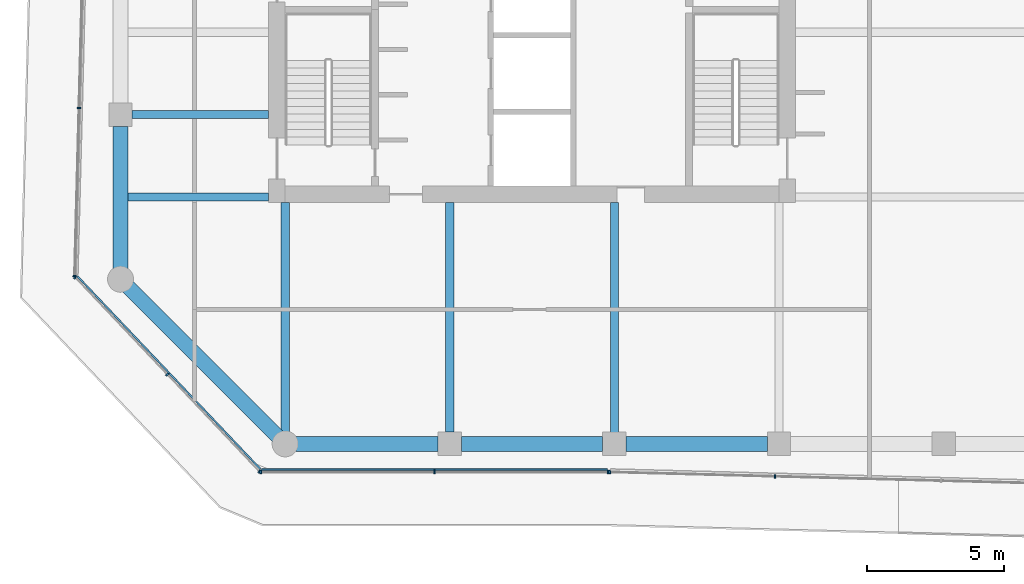
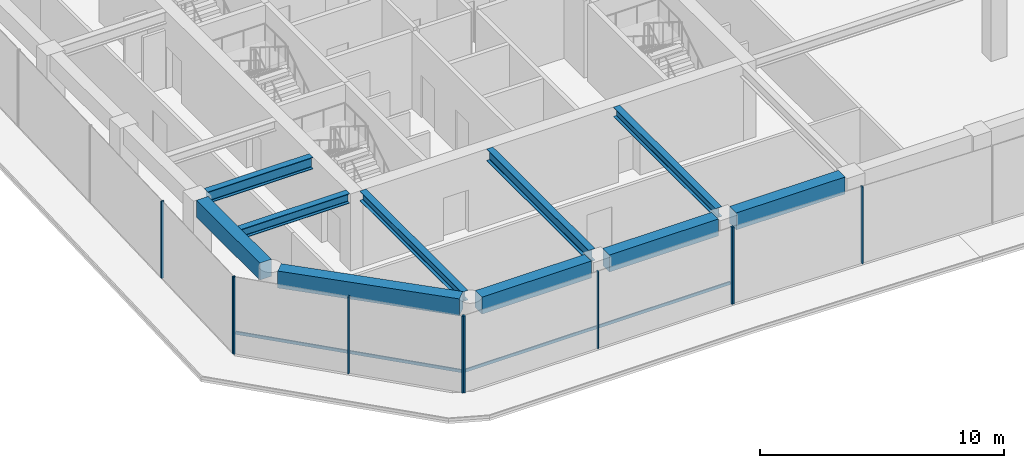
# One storey, part 2 of 19: 12 members, 10 beams, 4 elements without a shape of their own.
"""IFC4 building model written with IfcOpenShell, lengths in metres."""

from ifc_helpers import new_model, si_unit, direction, frame, origin, origin_2d, place, context, subcontext, project, spatial, rectangle, i_section, extrude, material, layer, layer_set, material_profile, profile_set, type_object, element, aggregate, save


model = new_model("IFC4")

# Units and contexts
model_context = context("Model", 3, precision=1e-05, world=origin(), true_north=direction((0.0, 1.0)))
body_context = subcontext(model_context, "Body", "Model", "MODEL_VIEW")
ifc_project = project(units=[si_unit("LENGTHUNIT", "METRE"), si_unit("AREAUNIT", "SQUARE_METRE"), si_unit("VOLUMEUNIT", "CUBIC_METRE"), si_unit("PLANEANGLEUNIT", "RADIAN"), si_unit("MASSUNIT", "GRAM", prefix="KILO")], contexts=[model_context])

# Site, building, storey
site_placement = place(None, origin())
site = spatial("IfcSite", under=ifc_project, at=site_placement, CompositionType="ELEMENT")
building_placement = place(site_placement, origin())
building = spatial("IfcBuilding", under=site, at=building_placement, Name="Welwitschia Terrace Campus", CompositionType="ELEMENT")
storey_placement = place(building_placement, frame((0.0, 0.0, 163.39990234375)))
storey = spatial("IfcBuildingStorey", under=building, at=storey_placement, Name="L36", CompositionType="ELEMENT", Elevation=163.39990234375)

# Beams
ifc_material_1 = material(Name="Steel S355", Category="steel")
ifc_material_profile_1 = material_profile(ifc_material_1, i_section(OverallWidth=0.300048828125, OverallDepth=0.489990234375, WebThickness=0.011962890625, FlangeThickness=0.02294921875, FilletRadius=0.027099609375, at=origin_2d()))
ifc_profile_set_1 = profile_set([ifc_material_profile_1], Name="Steel S355")
beam_type_1 = type_object("IfcBeamType", Name="Interior girder HE 500 A", PredefinedType="BEAM", material=ifc_profile_set_1)
beam_1_placement = place(storey_placement, frame((-0.010009765625, 5.0, 3.60498046875), z_axis=(1.0, 0.0, 0.0), x_axis=(0.0, 1.0, 0.0)))
element("IfcBeam", 1, at=beam_1_placement, inside=storey, type_object=beam_type_1, Name="Girder GB4", PredefinedType="BEAM", context=body_context, shape_type="SweptSolid", body=[
    extrude(i_section(OverallWidth=0.300048828125, OverallDepth=0.489990234375, WebThickness=0.011962890625, FlangeThickness=0.02294921875, FilletRadius=0.027099609375, at=origin_2d()), origin(), (0.0, 0.0, 1.0), 5.408935546875),
])
beam_2_placement = place(storey_placement, frame((6.0, -3.55859375, 3.60498046875), z_axis=(0.0, 1.0, 0.0), x_axis=(-1.0, 0.0, 0.0)))
element("IfcBeam", 2, at=beam_2_placement, inside=storey, type_object=beam_type_1, Name="Girder GB4", PredefinedType="BEAM", context=body_context, shape_type="SweptSolid", body=[
    extrude(i_section(OverallWidth=0.300048828125, OverallDepth=0.489990234375, WebThickness=0.011962890625, FlangeThickness=0.02294921875, FilletRadius=0.027099609375, at=origin_2d()), origin(), (0.0, 0.0, 1.0), 8.357666015625),
])
beam_3_placement = place(storey_placement, frame((18.0, -3.58447265625, 3.60498046875), z_axis=(0.0, 1.0, 0.0), x_axis=(-1.0, 0.0, 0.0)))
element("IfcBeam", 3, at=beam_3_placement, inside=storey, type_object=beam_type_1, Name="Girder GB4", PredefinedType="BEAM", context=body_context, shape_type="SweptSolid", body=[
    extrude(i_section(OverallWidth=0.300048828125, OverallDepth=0.489990234375, WebThickness=0.011962890625, FlangeThickness=0.02294921875, FilletRadius=0.027099609375, at=origin_2d()), origin(), (0.0, 0.0, 1.0), 8.383544921875),
])

# Curtain wall, members
ifc_material_2 = material(Name="Bronze anodised aluminium", Category="aluminium")
ifc_layer = layer(ifc_material_2, 0.1201171875)
ifc_layer_set = layer_set([ifc_layer], Name="Bronze anodised aluminium")
curtain_wall_type = type_object("IfcCurtainWallType", Name="Curtain wall CW2 tower 6000", PredefinedType="NOTDEFINED", material=ifc_layer_set)
curtain_wall_1_placement = place(storey_placement, origin())
curtain_wall_1 = element("IfcCurtainWall", 4, at=curtain_wall_1_placement, inside=storey, type_object=curtain_wall_type, Name="CW L36.1.0", PredefinedType="NOTDEFINED")
ifc_material_3 = material(Name="Bronze anodised aluminium", Category="aluminium")
ifc_material_profile_2 = material_profile(ifc_material_3, rectangle(XDim=0.1201171875, YDim=0.06005859375, at=origin_2d()))
ifc_profile_set_2 = profile_set([ifc_material_profile_2], Name="Bronze anodised aluminium")
member_type_1 = type_object("IfcMemberType", Name="Mullion 60x120", PredefinedType="MULLION", material=ifc_profile_set_2)
member_1_placement = place(storey_placement, frame((-1.513427734375, 8.239501953125, 0.0), z_axis=(0.0, 0.0, 1.0), x_axis=(0.999657324976, -0.026176948308, 0.0)))
member_1 = element("IfcMember", 5, at=member_1_placement, type_object=member_type_1, Name="Mullion L36.1.0.3", PredefinedType="MULLION", context=body_context, shape_type="SweptSolid", body=[
    extrude(rectangle(XDim=0.1201171875, YDim=0.06005859375, at=origin_2d()), origin(), (0.0, 0.0, 1.0), 3.85009765625),
])
member_2_placement = place(storey_placement, frame((-1.673828125, 2.11572265625, 0.0), z_axis=(0.0, 0.0, 1.0), x_axis=(0.999657324976, -0.026176948308, 0.0)))
member_2 = element("IfcMember", 6, at=member_2_placement, type_object=member_type_1, Name="Mullion L36.1.0.4", PredefinedType="MULLION", context=body_context, shape_type="SweptSolid", body=[
    extrude(rectangle(XDim=0.1201171875, YDim=0.06005859375, at=origin_2d()), origin(), (0.0, 0.0, 1.0), 3.85009765625),
])
aggregate(curtain_wall_1, [member_1, member_2])

curtain_wall_2_placement = place(storey_placement, origin())
curtain_wall_2 = element("IfcCurtainWall", 7, at=curtain_wall_2_placement, inside=storey, type_object=curtain_wall_type, Name="CW L36.2.0", PredefinedType="NOTDEFINED")
member_3_placement = place(storey_placement, frame((-1.65380859375, 2.06396484375, 0.0), z_axis=(0.0, 0.0, 1.0), x_axis=(0.725374371012, 0.688354575694, 0.0)))
member_3 = element("IfcMember", 8, at=member_3_placement, type_object=member_type_1, Name="Mullion L36.2.0.0", PredefinedType="MULLION", context=body_context, shape_type="SweptSolid", body=[
    extrude(rectangle(XDim=0.1201171875, YDim=0.06005859375, at=origin_2d()), origin(), (0.0, 0.0, 1.0), 3.85009765625),
])
member_4_placement = place(storey_placement, frame((1.70166015625, -1.47216796875, 0.0), z_axis=(0.0, 0.0, 1.0), x_axis=(0.725374371012, 0.688354575694, 0.0)))
member_4 = element("IfcMember", 9, at=member_4_placement, type_object=member_type_1, Name="Mullion L36.2.0.1", PredefinedType="MULLION", context=body_context, shape_type="SweptSolid", body=[
    extrude(rectangle(XDim=0.1201171875, YDim=0.06005859375, at=origin_2d()), origin(), (0.0, 0.0, 1.0), 3.85009765625),
])
member_5_placement = place(storey_placement, frame((5.057373046875, -5.00830078125, 0.0), z_axis=(0.0, 0.0, 1.0), x_axis=(0.725374371012, 0.688354575694, 0.0)))
member_5 = element("IfcMember", 10, at=member_5_placement, type_object=member_type_1, Name="Mullion L36.2.0.2", PredefinedType="MULLION", context=body_context, shape_type="SweptSolid", body=[
    extrude(rectangle(XDim=0.1201171875, YDim=0.06005859375, at=origin_2d()), origin(), (0.0, 0.0, 1.0), 3.85009765625),
])

curtain_wall_3_placement = place(storey_placement, origin())
curtain_wall_3 = element("IfcCurtainWall", 11, at=curtain_wall_3_placement, inside=storey, type_object=curtain_wall_type, Name="CW L36.3.0", PredefinedType="NOTDEFINED")
member_6_placement = place(storey_placement, frame((5.10791015625, -5.030029296875, 0.0), z_axis=(0.0, 0.0, 1.0), x_axis=(0.0, 1.0, 0.0)))
member_6 = element("IfcMember", 12, at=member_6_placement, type_object=member_type_1, Name="Mullion L36.3.0.0", PredefinedType="MULLION", context=body_context, shape_type="SweptSolid", body=[
    extrude(rectangle(XDim=0.1201171875, YDim=0.06005859375, at=origin_2d()), origin(), (0.0, 0.0, 1.0), 3.85009765625),
])
member_7_placement = place(storey_placement, frame((11.43994140625, -5.030029296875, 0.0), z_axis=(0.0, 0.0, 1.0), x_axis=(0.0, 1.0, 0.0)))
member_7 = element("IfcMember", 13, at=member_7_placement, type_object=member_type_1, Name="Mullion L36.3.0.1", PredefinedType="MULLION", context=body_context, shape_type="SweptSolid", body=[
    extrude(rectangle(XDim=0.1201171875, YDim=0.06005859375, at=origin_2d()), origin(), (0.0, 0.0, 1.0), 3.85009765625),
])
member_8_placement = place(storey_placement, frame((17.77197265625, -5.030029296875, 0.0), z_axis=(0.0, 0.0, 1.0), x_axis=(0.0, 1.0, 0.0)))
member_8 = element("IfcMember", 14, at=member_8_placement, type_object=member_type_1, Name="Mullion L36.3.0.2", PredefinedType="MULLION", context=body_context, shape_type="SweptSolid", body=[
    extrude(rectangle(XDim=0.1201171875, YDim=0.06005859375, at=origin_2d()), origin(), (0.0, 0.0, 1.0), 3.85009765625),
])

curtain_wall_4_placement = place(storey_placement, origin())
curtain_wall_4 = element("IfcCurtainWall", 15, at=curtain_wall_4_placement, inside=storey, type_object=curtain_wall_type, Name="CW L36.4.0", PredefinedType="NOTDEFINED")
member_9_placement = place(storey_placement, frame((17.83203125, -5.03076171875, 0.0), z_axis=(0.0, 0.0, 1.0), x_axis=(0.026176948308, 0.999657324976, 0.0)))
member_9 = element("IfcMember", 16, at=member_9_placement, type_object=member_type_1, Name="Mullion L36.4.0.0", PredefinedType="MULLION", context=body_context, shape_type="SweptSolid", body=[
    extrude(rectangle(XDim=0.1201171875, YDim=0.06005859375, at=origin_2d()), origin(), (0.0, 0.0, 1.0), 3.85009765625),
])
member_10_placement = place(storey_placement, frame((23.851806640625, -5.1884765625, 0.0), z_axis=(0.0, 0.0, 1.0), x_axis=(0.026176948308, 0.999657324976, 0.0)))
member_10 = element("IfcMember", 17, at=member_10_placement, type_object=member_type_1, Name="Mullion L36.4.0.1", PredefinedType="MULLION", context=body_context, shape_type="SweptSolid", body=[
    extrude(rectangle(XDim=0.1201171875, YDim=0.06005859375, at=origin_2d()), origin(), (0.0, 0.0, 1.0), 3.85009765625),
])
aggregate(curtain_wall_4, [member_9, member_10])

# Beams
ifc_material_4 = material(Name="Steel S355", Category="steel")
ifc_material_profile_3 = material_profile(ifc_material_4, i_section(OverallWidth=0.300048828125, OverallDepth=0.590087890625, WebThickness=0.012939453125, FlangeThickness=0.02490234375, FilletRadius=0.027099609375, at=origin_2d()))
ifc_profile_set_3 = profile_set([ifc_material_profile_3], Name="Steel S355")
beam_type_2 = type_object("IfcBeamType", Name="Primary beam HE 600 A", PredefinedType="BEAM", material=ifc_profile_set_3)
beam_4_placement = place(storey_placement, frame((12.0, -3.574462890625, 3.55517578125), z_axis=(0.0, 1.0, 0.0), x_axis=(-1.0, 0.0, 0.0)))
element("IfcBeam", 18, at=beam_4_placement, inside=storey, type_object=beam_type_2, Name="Primary beam PB4", PredefinedType="BEAM", context=body_context, shape_type="SweptSolid", body=[
    extrude(i_section(OverallWidth=0.300048828125, OverallDepth=0.590087890625, WebThickness=0.012939453125, FlangeThickness=0.02490234375, FilletRadius=0.027099609375, at=origin_2d()), origin(), (0.0, 0.0, 1.0), 8.37451171875),
])
beam_5_placement = place(storey_placement, frame((0.425537109375, 8.0, 3.55517578125), z_axis=(1.0, 0.0, 0.0), x_axis=(0.0, 1.0, 0.0)))
element("IfcBeam", 19, at=beam_5_placement, inside=storey, type_object=beam_type_2, Name="Primary beam PB4", PredefinedType="BEAM", context=body_context, shape_type="SweptSolid", body=[
    extrude(i_section(OverallWidth=0.300048828125, OverallDepth=0.590087890625, WebThickness=0.012939453125, FlangeThickness=0.02490234375, FilletRadius=0.027099609375, at=origin_2d()), origin(), (0.0, 0.0, 1.0), 4.974365234375),
])
ifc_material_5 = material(Name="Concrete C50/60", Category="concrete")
ifc_material_profile_4 = material_profile(ifc_material_5, rectangle(XDim=0.550048828125, YDim=0.85009765625, at=origin_2d()))
ifc_profile_set_4 = profile_set([ifc_material_profile_4], Name="Concrete C50/60")
beam_type_3 = type_object("IfcBeamType", Name="Ring spandrel 550x850", PredefinedType="SPANDREL", material=ifc_profile_set_4)
beam_6_placement = place(storey_placement, frame((0.2744140625, 1.7255859375, 3.425048828125), z_axis=(0.707106781187, -0.707106781187, 0.0), x_axis=(0.707106781187, 0.707106781187, 0.0)))
element("IfcBeam", 20, at=beam_6_placement, inside=storey, type_object=beam_type_3, Name="Spandrel SP3", PredefinedType="SPANDREL", context=body_context, shape_type="SweptSolid", body=[
    extrude(rectangle(XDim=0.550048828125, YDim=0.85009765625, at=origin_2d()), origin(), (0.0, 0.0, 1.0), 7.709228515625),
])
beam_7_placement = place(storey_placement, frame((6.387939453125, -4.0, 3.425048828125), z_axis=(1.0, 0.0, 0.0), x_axis=(0.0, 1.0, 0.0)))
element("IfcBeam", 21, at=beam_7_placement, inside=storey, type_object=beam_type_3, Name="Spandrel SP3", PredefinedType="SPANDREL", context=body_context, shape_type="SweptSolid", body=[
    extrude(rectangle(XDim=0.550048828125, YDim=0.85009765625, at=origin_2d()), origin(), (0.0, 0.0, 1.0), 5.1865234375),
])
for number, where, z_axis, x_axis, name in (
    (22, (12.425537109375, -4.0, 3.425048828125), (1.0, 0.0, 0.0), (0.0, 1.0, 0.0), "Spandrel SP3"),
    (23, (18.425537109375, -4.0, 3.425048828125), (1.0, 0.0, 0.0), (0.0, 1.0, 0.0), "Spandrel SP3"),
):
    element("IfcBeam", number, at=place(storey_placement, frame(where, z_axis=z_axis, x_axis=x_axis)), inside=storey, type_object=beam_type_3, Name=name, PredefinedType="SPANDREL", context=body_context, shape_type="SweptSolid", body=[
        extrude(rectangle(XDim=0.550048828125, YDim=0.85009765625, at=origin_2d()), origin(), (0.0, 0.0, 1.0), 5.14892578125),
    ])
beam_8_placement = place(storey_placement, frame((0.0, 7.574462890625, 3.425048828125), z_axis=(0.0, -1.0, 0.0), x_axis=(1.0, 0.0, 0.0)))
element("IfcBeam", 24, at=beam_8_placement, inside=storey, type_object=beam_type_3, Name="Spandrel SP3", PredefinedType="SPANDREL", context=body_context, shape_type="SweptSolid", body=[
    extrude(rectangle(XDim=0.550048828125, YDim=0.85009765625, at=origin_2d()), origin(), (0.0, 0.0, 1.0), 5.1865234375),
])

# Member
ifc_material_6 = material(Name="Bronze anodised aluminium", Category="aluminium")
ifc_material_profile_5 = material_profile(ifc_material_6, rectangle(XDim=0.06005859375, YDim=0.14990234375, at=origin_2d()))
ifc_profile_set_5 = profile_set([ifc_material_profile_5], Name="Bronze anodised aluminium")
member_type_2 = type_object("IfcMemberType", Name="Transom 60x150", PredefinedType="USERDEFINED", material=ifc_profile_set_5)
member_11_placement = place(storey_placement, frame((-1.568115234375, 2.10400390625, 1.0), z_axis=(0.688358010528, -0.725371111461, 0.0), x_axis=(0.725371111461, 0.688358010528, 0.0)))
member_11 = element("IfcMember", 25, at=member_11_placement, type_object=member_type_2, Name="Transom L36.2.0", ObjectType="TRANSOM", PredefinedType="USERDEFINED", context=body_context, shape_type="SweptSolid", body=[
    extrude(rectangle(XDim=0.06005859375, YDim=0.14990234375, at=origin_2d()), origin(), (0.0, 0.0, 1.0), 9.689697265625),
])

aggregate(curtain_wall_2, [member_3, member_4, member_5, member_11])

member_12_placement = place(storey_placement, frame((5.137939453125, -4.93994140625, 1.0), z_axis=(1.0, 0.0, 0.0), x_axis=(0.0, 1.0, 0.0)))
member_12 = element("IfcMember", 26, at=member_12_placement, type_object=member_type_2, Name="Transom L36.3.0", ObjectType="TRANSOM", PredefinedType="USERDEFINED", context=body_context, shape_type="SweptSolid", body=[
    extrude(rectangle(XDim=0.06005859375, YDim=0.14990234375, at=origin_2d()), origin(), (0.0, 0.0, 1.0), 12.60400390625),
])

aggregate(curtain_wall_3, [member_6, member_7, member_8, member_12])

save(model, "model.ifc")
